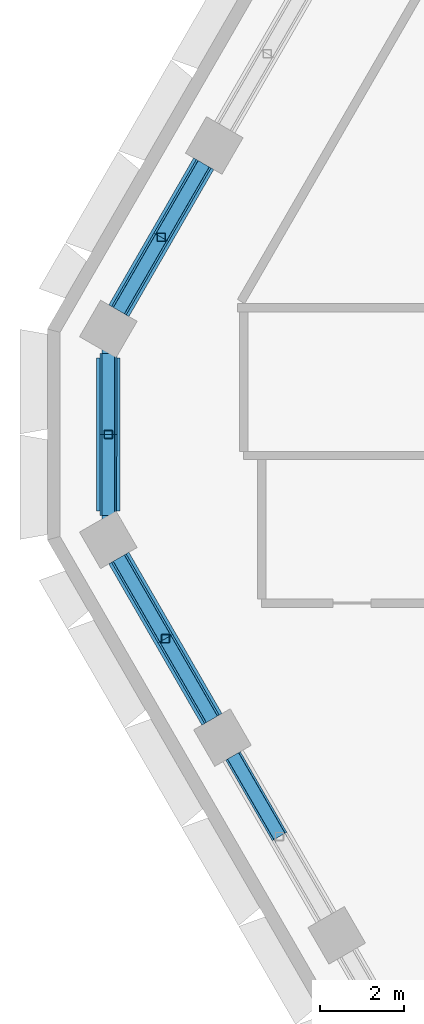
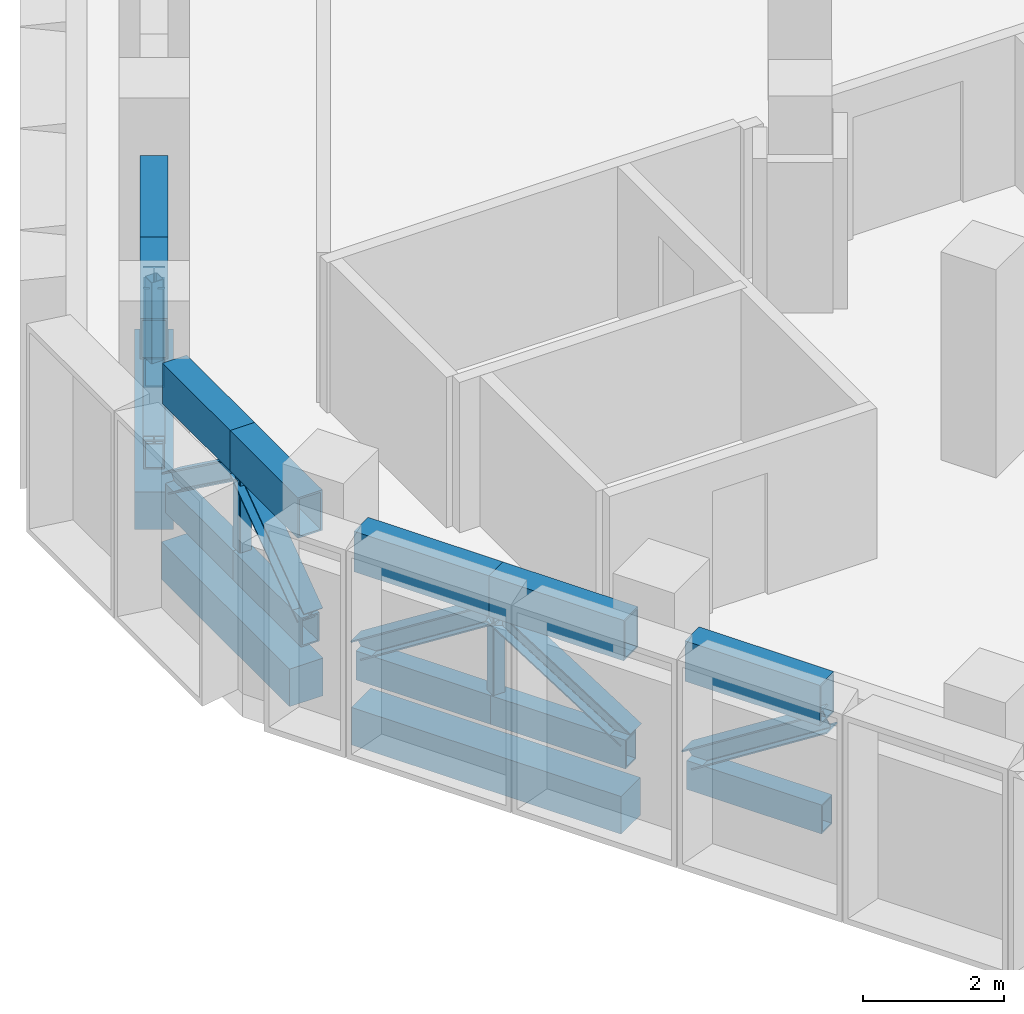
# One storey, part 4 of 23: 24 members, 3 beams.
"""IFC4 building model written with IfcOpenShell, lengths in metres."""

from ifc_helpers import new_model, si_unit, direction, frame, origin, origin_2d, place, context, subcontext, project, spatial, rectangle, hollow_rectangle, i_section, extrude, material, material_profile, profile_set, type_object, element, save


model = new_model("IFC4")

# Units and contexts
model_context = context("Model", 3, precision=1e-05, world=origin(), true_north=direction((0.0, 1.0)))
body_context = subcontext(model_context, "Body", "Model", "MODEL_VIEW")
ifc_project = project(units=[si_unit("LENGTHUNIT", "METRE"), si_unit("AREAUNIT", "SQUARE_METRE"), si_unit("VOLUMEUNIT", "CUBIC_METRE"), si_unit("PLANEANGLEUNIT", "RADIAN"), si_unit("MASSUNIT", "GRAM", prefix="KILO")], contexts=[model_context])

# Site, building, storey
site_placement = place(None, origin())
site = spatial("IfcSite", under=ifc_project, at=site_placement, CompositionType="ELEMENT")
building_placement = place(site_placement, origin())
building = spatial("IfcBuilding", under=site, at=building_placement, Name="Beryl Residences", CompositionType="ELEMENT")
storey_placement = place(building_placement, frame((0.0, 0.0, 108.0)))
storey = spatial("IfcBuildingStorey", under=building, at=storey_placement, Name="L33", CompositionType="ELEMENT", Elevation=108.0)

# Members
ifc_material_1 = material(Name="Steel S355", Category="steel")
ifc_material_profile_1 = material_profile(ifc_material_1, hollow_rectangle(XDim=0.300048828125, YDim=0.5, WallThickness=0.02490234375, at=origin_2d()))
ifc_profile_set_1 = profile_set([ifc_material_profile_1], Name="Steel S355")
member_type_1 = type_object("IfcMemberType", Name="BB2 belt truss bottom chord WB 500x300x25", PredefinedType="CHORD", material=ifc_profile_set_1)
member_1_placement = place(storey_placement, frame((-25.451904296875, 5.4169921875, 0.25), z_axis=(-0.500146161777, -0.865941000796, 0.0), x_axis=(0.865941000796, -0.500146161777, 0.0)))
element("IfcMember", 1, at=member_1_placement, inside=storey, type_object=member_type_1, Name="Outrigger truss BB2-NW-4a L33", PredefinedType="CHORD", context=body_context, shape_type="SweptSolid", body=[
    extrude(hollow_rectangle(XDim=0.300048828125, YDim=0.5, WallThickness=0.02490234375, at=origin_2d()), origin(), (0.0, 0.0, 1.0), 2.01171875),
])
member_2_placement = place(storey_placement, frame((-26.4580078125, 3.675048828125, 0.25), z_axis=(-0.499690923653, -0.866203775574, 0.0), x_axis=(0.866203775574, -0.499690923653, 0.0)))
element("IfcMember", 2, at=member_2_placement, inside=storey, type_object=member_type_1, Name="Outrigger truss BB2-NW-4b L33", PredefinedType="CHORD", context=body_context, shape_type="SweptSolid", body=[
    extrude(hollow_rectangle(XDim=0.300048828125, YDim=0.5, WallThickness=0.02490234375, at=origin_2d()), origin(), (0.0, 0.0, 1.0), 2.010986328125),
])
member_3_placement = place(storey_placement, frame((-27.712890625, 0.923095703125, 0.25), z_axis=(0.0, -1.0, 0.0), x_axis=(1.0, 0.0, 0.0)))
element("IfcMember", 3, at=member_3_placement, inside=storey, type_object=member_type_1, Name="Outrigger truss BB2-NW-5a L33", PredefinedType="CHORD", context=body_context, shape_type="SweptSolid", body=[
    extrude(hollow_rectangle(XDim=0.300048828125, YDim=0.5, WallThickness=0.02490234375, at=origin_2d()), origin(), (0.0, 0.0, 1.0), 1.923095703125),
])
member_4_placement = place(storey_placement, frame((-27.712890625, -1.0, 0.25), z_axis=(-0.000635081797, -0.999999798336, 0.0), x_axis=(0.999999798336, -0.000635081797, 0.0)))
element("IfcMember", 4, at=member_4_placement, inside=storey, type_object=member_type_1, Name="Outrigger truss BB2-NW-5b L33", PredefinedType="CHORD", context=body_context, shape_type="SweptSolid", body=[
    extrude(hollow_rectangle(XDim=0.300048828125, YDim=0.5, WallThickness=0.02490234375, at=origin_2d()), origin(), (0.0, 0.0, 1.0), 1.922119140625),
])
member_5_placement = place(storey_placement, frame((-27.464111328125, -3.931884765625, 0.25), z_axis=(0.49987569747, -0.86609715799, 0.0), x_axis=(0.86609715799, 0.49987569747, 0.0)))
element("IfcMember", 5, at=member_5_placement, inside=storey, type_object=member_type_1, Name="Outrigger truss BB2-SW-0a L33", PredefinedType="CHORD", context=body_context, shape_type="SweptSolid", body=[
    extrude(hollow_rectangle(XDim=0.300048828125, YDim=0.5, WallThickness=0.02490234375, at=origin_2d()), origin(), (0.0, 0.0, 1.0), 2.20654296875),
])
member_6_placement = place(storey_placement, frame((-26.361083984375, -5.843017578125, 0.25), z_axis=(0.500255480495, -0.865877851798, 0.0), x_axis=(0.865877851798, 0.500255480495, 0.0)))
element("IfcMember", 6, at=member_6_placement, inside=storey, type_object=member_type_1, Name="Outrigger truss BB2-SW-0b L33", PredefinedType="CHORD", context=body_context, shape_type="SweptSolid", body=[
    extrude(hollow_rectangle(XDim=0.300048828125, YDim=0.5, WallThickness=0.02490234375, at=origin_2d()), origin(), (0.0, 0.0, 1.0), 2.206787109375),
])
member_7_placement = place(storey_placement, frame((-24.757080078125, -8.6201171875, 0.25), z_axis=(0.49992360228, -0.866069507536, 0.0), x_axis=(0.866069507536, 0.49992360228, 0.0)))
element("IfcMember", 7, at=member_7_placement, inside=storey, type_object=member_type_1, Name="Outrigger truss BB2-SW-1a L33", PredefinedType="CHORD", context=body_context, shape_type="SweptSolid", body=[
    extrude(hollow_rectangle(XDim=0.300048828125, YDim=0.5, WallThickness=0.02490234375, at=origin_2d()), origin(), (0.0, 0.0, 1.0), 2.206298828125),
])
ifc_material_2 = material(Name="Steel S355", Category="steel")
ifc_material_profile_2 = material_profile(ifc_material_2, i_section(OverallWidth=0.30908203125, OverallDepth=0.320068359375, WebThickness=0.013916015625, FlangeThickness=0.021728515625, FilletRadius=0.0166015625, at=origin_2d()))
ifc_profile_set_2 = profile_set([ifc_material_profile_2], Name="Steel S355")
member_type_2 = type_object("IfcMemberType", Name="BD2 belt truss diagonal 310UC137", PredefinedType="BRACE", material=ifc_profile_set_2)
member_8_placement = place(storey_placement, frame((-25.451904296875, 5.4169921875, 0.5), z_axis=(-0.41052328909, -0.710770120761, 0.571206148906), x_axis=(0.865941000796, -0.500146161777, 0.0)))
element("IfcMember", 8, at=member_8_placement, inside=storey, type_object=member_type_2, Name="Outrigger truss BD2-NW-4a L33", PredefinedType="BRACE", context=body_context, shape_type="SweptSolid", body=[
    extrude(i_section(OverallWidth=0.30908203125, OverallDepth=0.320068359375, WebThickness=0.013916015625, FlangeThickness=0.021728515625, FilletRadius=0.0166015625, at=origin_2d()), origin(), (0.0, 0.0, 1.0), 2.45068359375),
])
member_9_placement = place(storey_placement, frame((-27.462890625, 1.93310546875, 0.5), z_axis=(0.410109017379, 0.710915412779, 0.571322911966), x_axis=(-0.866203775574, 0.499690923653, 0.0)))
element("IfcMember", 9, at=member_9_placement, inside=storey, type_object=member_type_2, Name="Outrigger truss BD2-NW-4b L33", PredefinedType="BRACE", context=body_context, shape_type="SweptSolid", body=[
    extrude(i_section(OverallWidth=0.30908203125, OverallDepth=0.320068359375, WebThickness=0.013916015625, FlangeThickness=0.021728515625, FilletRadius=0.0166015625, at=origin_2d()), origin(), (0.0, 0.0, 1.0), 2.4501953125),
])
member_10_placement = place(storey_placement, frame((-27.712890625, 0.923095703125, 0.5), z_axis=(0.0, -0.808478579945, 0.588525603326), x_axis=(1.0, 0.0, 0.0)))
element("IfcMember", 10, at=member_10_placement, inside=storey, type_object=member_type_2, Name="Outrigger truss BD2-NW-5a L33", PredefinedType="BRACE", context=body_context, shape_type="SweptSolid", body=[
    extrude(i_section(OverallWidth=0.30908203125, OverallDepth=0.320068359375, WebThickness=0.013916015625, FlangeThickness=0.021728515625, FilletRadius=0.0166015625, at=origin_2d()), origin(), (0.0, 0.0, 1.0), 2.378662109375),
])
member_11_placement = place(storey_placement, frame((-27.714111328125, -2.922119140625, 0.5), z_axis=(0.000513359712, 0.808336203001, 0.588720918075), x_axis=(-0.999999798336, 0.000635081797, 0.0)))
element("IfcMember", 11, at=member_11_placement, inside=storey, type_object=member_type_2, Name="Outrigger truss BD2-NW-5b L33", PredefinedType="BRACE", context=body_context, shape_type="SweptSolid", body=[
    extrude(i_section(OverallWidth=0.30908203125, OverallDepth=0.320068359375, WebThickness=0.013916015625, FlangeThickness=0.021728515625, FilletRadius=0.0166015625, at=origin_2d()), origin(), (0.0, 0.0, 1.0), 2.3779296875),
])
member_12_placement = place(storey_placement, frame((-27.464111328125, -3.931884765625, 0.5), z_axis=(0.422098007616, -0.731337583801, 0.535703845876), x_axis=(0.86609715799, 0.49987569747, 0.0)))
element("IfcMember", 12, at=member_12_placement, inside=storey, type_object=member_type_2, Name="Outrigger truss BD2-SW-0a L33", PredefinedType="BRACE", context=body_context, shape_type="SweptSolid", body=[
    extrude(i_section(OverallWidth=0.30908203125, OverallDepth=0.320068359375, WebThickness=0.013916015625, FlangeThickness=0.021728515625, FilletRadius=0.0166015625, at=origin_2d()), origin(), (0.0, 0.0, 1.0), 2.61328125),
])
member_13_placement = place(storey_placement, frame((-25.257080078125, -7.75390625, 0.5), z_axis=(-0.422433910032, 0.731178729284, 0.535655913341), x_axis=(-0.865877851798, -0.500255480495, 0.0)))
element("IfcMember", 13, at=member_13_placement, inside=storey, type_object=member_type_2, Name="Outrigger truss BD2-SW-0b L33", PredefinedType="BRACE", context=body_context, shape_type="SweptSolid", body=[
    extrude(i_section(OverallWidth=0.30908203125, OverallDepth=0.320068359375, WebThickness=0.013916015625, FlangeThickness=0.021728515625, FilletRadius=0.0166015625, at=origin_2d()), origin(), (0.0, 0.0, 1.0), 2.613525390625),
])
member_14_placement = place(storey_placement, frame((-24.757080078125, -8.6201171875, 0.5), z_axis=(0.422126848929, -0.731294122747, 0.535740449704), x_axis=(0.866069507536, 0.49992360228, 0.0)))
element("IfcMember", 14, at=member_14_placement, inside=storey, type_object=member_type_2, Name="Outrigger truss BD2-SW-1a L33", PredefinedType="BRACE", context=body_context, shape_type="SweptSolid", body=[
    extrude(i_section(OverallWidth=0.30908203125, OverallDepth=0.320068359375, WebThickness=0.013916015625, FlangeThickness=0.021728515625, FilletRadius=0.0166015625, at=origin_2d()), origin(), (0.0, 0.0, 1.0), 2.613037109375),
])
ifc_material_3 = material(Name="Steel S355", Category="steel")
ifc_material_profile_3 = material_profile(ifc_material_3, hollow_rectangle(XDim=0.199951171875, YDim=0.199951171875, WallThickness=0.009033203125, InnerFilletRadius=0.009033203125, OuterFilletRadius=0.01806640625, at=origin_2d()))
ifc_profile_set_3 = profile_set([ifc_material_profile_3], Name="Steel S355")
member_type_3 = type_object("IfcMemberType", Name="BQ2 belt truss post SHS 200x200x9", PredefinedType="POST", material=ifc_profile_set_3)
for number, where, z_axis, x_axis, name in (
    (15, (-26.4580078125, 3.675048828125, 0.5), (0.0, 0.0, 1.0), (1.0, 0.0, 0.0), "Outrigger truss BQ2-NW-4 L33"),
    (16, (-27.712890625, -1.0, 0.5), (0.0, 0.0, 1.0), (1.0, 0.0, 0.0), "Outrigger truss BQ2-NW-5 L33"),
    (17, (-26.361083984375, -5.843017578125, 0.5), (0.0, 0.0, 1.0), (1.0, 0.0, 0.0), "Outrigger truss BQ2-SW-0 L33"),
):
    element("IfcMember", number, at=place(storey_placement, frame(where, z_axis=z_axis, x_axis=x_axis)), inside=storey, type_object=member_type_3, Name=name, PredefinedType="POST", context=body_context, shape_type="SweptSolid", body=[
        extrude(hollow_rectangle(XDim=0.199951171875, YDim=0.199951171875, WallThickness=0.009033203125, InnerFilletRadius=0.009033203125, OuterFilletRadius=0.01806640625, at=origin_2d()), origin(), (0.0, 0.0, 1.0), 1.39990234375),
    ])
ifc_material_4 = material(Name="Steel S355", Category="steel")
ifc_material_profile_4 = material_profile(ifc_material_4, hollow_rectangle(XDim=0.39990234375, YDim=0.699951171875, WallThickness=0.030029296875, at=origin_2d()))
ifc_profile_set_4 = profile_set([ifc_material_profile_4], Name="Steel S355")
member_type_4 = type_object("IfcMemberType", Name="BT2 belt truss top chord WB 700x400x30", PredefinedType="CHORD", material=ifc_profile_set_4)
member_15_placement = place(storey_placement, frame((-25.451904296875, 5.4169921875, 2.25), z_axis=(-0.500146161777, -0.865941000796, 0.0), x_axis=(0.865941000796, -0.500146161777, 0.0)))
element("IfcMember", 18, at=member_15_placement, inside=storey, type_object=member_type_4, Name="Outrigger truss BT2-NW-4a L33", PredefinedType="CHORD", context=body_context, shape_type="SweptSolid", body=[
    extrude(hollow_rectangle(XDim=0.39990234375, YDim=0.699951171875, WallThickness=0.030029296875, at=origin_2d()), origin(), (0.0, 0.0, 1.0), 2.01171875),
])
member_16_placement = place(storey_placement, frame((-26.4580078125, 3.675048828125, 2.25), z_axis=(-0.499690923653, -0.866203775574, 0.0), x_axis=(0.866203775574, -0.499690923653, 0.0)))
element("IfcMember", 19, at=member_16_placement, inside=storey, type_object=member_type_4, Name="Outrigger truss BT2-NW-4b L33", PredefinedType="CHORD", context=body_context, shape_type="SweptSolid", body=[
    extrude(hollow_rectangle(XDim=0.39990234375, YDim=0.699951171875, WallThickness=0.030029296875, at=origin_2d()), origin(), (0.0, 0.0, 1.0), 2.010986328125),
])
member_17_placement = place(storey_placement, frame((-27.712890625, 0.923095703125, 2.25), z_axis=(0.0, -1.0, 0.0), x_axis=(1.0, 0.0, 0.0)))
element("IfcMember", 20, at=member_17_placement, inside=storey, type_object=member_type_4, Name="Outrigger truss BT2-NW-5a L33", PredefinedType="CHORD", context=body_context, shape_type="SweptSolid", body=[
    extrude(hollow_rectangle(XDim=0.39990234375, YDim=0.699951171875, WallThickness=0.030029296875, at=origin_2d()), origin(), (0.0, 0.0, 1.0), 1.923095703125),
])
member_18_placement = place(storey_placement, frame((-27.712890625, -1.0, 2.25), z_axis=(-0.000635081797, -0.999999798336, 0.0), x_axis=(0.999999798336, -0.000635081797, 0.0)))
element("IfcMember", 21, at=member_18_placement, inside=storey, type_object=member_type_4, Name="Outrigger truss BT2-NW-5b L33", PredefinedType="CHORD", context=body_context, shape_type="SweptSolid", body=[
    extrude(hollow_rectangle(XDim=0.39990234375, YDim=0.699951171875, WallThickness=0.030029296875, at=origin_2d()), origin(), (0.0, 0.0, 1.0), 1.922119140625),
])
member_19_placement = place(storey_placement, frame((-27.464111328125, -3.931884765625, 2.25), z_axis=(0.49987569747, -0.86609715799, 0.0), x_axis=(0.86609715799, 0.49987569747, 0.0)))
element("IfcMember", 22, at=member_19_placement, inside=storey, type_object=member_type_4, Name="Outrigger truss BT2-SW-0a L33", PredefinedType="CHORD", context=body_context, shape_type="SweptSolid", body=[
    extrude(hollow_rectangle(XDim=0.39990234375, YDim=0.699951171875, WallThickness=0.030029296875, at=origin_2d()), origin(), (0.0, 0.0, 1.0), 2.20654296875),
])
member_20_placement = place(storey_placement, frame((-26.361083984375, -5.843017578125, 2.25), z_axis=(0.500255480495, -0.865877851798, 0.0), x_axis=(0.865877851798, 0.500255480495, 0.0)))
element("IfcMember", 23, at=member_20_placement, inside=storey, type_object=member_type_4, Name="Outrigger truss BT2-SW-0b L33", PredefinedType="CHORD", context=body_context, shape_type="SweptSolid", body=[
    extrude(hollow_rectangle(XDim=0.39990234375, YDim=0.699951171875, WallThickness=0.030029296875, at=origin_2d()), origin(), (0.0, 0.0, 1.0), 2.206787109375),
])
member_21_placement = place(storey_placement, frame((-24.757080078125, -8.6201171875, 2.25), z_axis=(0.49992360228, -0.866069507536, 0.0), x_axis=(0.866069507536, 0.49992360228, 0.0)))
element("IfcMember", 24, at=member_21_placement, inside=storey, type_object=member_type_4, Name="Outrigger truss BT2-SW-1a L33", PredefinedType="CHORD", context=body_context, shape_type="SweptSolid", body=[
    extrude(hollow_rectangle(XDim=0.39990234375, YDim=0.699951171875, WallThickness=0.030029296875, at=origin_2d()), origin(), (0.0, 0.0, 1.0), 2.206298828125),
])

# Beams
ifc_material_5 = material(Name="Concrete C70/85", Category="concrete")
ifc_material_profile_5 = material_profile(ifc_material_5, rectangle(XDim=0.550048828125, YDim=0.64990234375, at=origin_2d()))
ifc_profile_set_5 = profile_set([ifc_material_profile_5], Name="Concrete C70/85")
beam_type = type_object("IfcBeamType", Name="SB2 spandrel beam 550 x 650 C70/85", PredefinedType="SPANDREL", material=ifc_profile_set_5)
beam_1_placement = place(storey_placement, frame((-25.451904296875, 5.4169921875, -0.72509765625), z_axis=(-0.499918594511, -0.866072398164, 0.0), x_axis=(0.866072398164, -0.499918594511, 0.0)))
element("IfcBeam", 25, at=beam_1_placement, inside=storey, type_object=beam_type, Name="SB2 L33 NW-4", PredefinedType="SPANDREL", context=body_context, shape_type="SweptSolid", body=[
    extrude(rectangle(XDim=0.550048828125, YDim=0.64990234375, at=origin_2d()), origin(), (0.0, 0.0, 1.0), 4.022705078125),
])
beam_2_placement = place(storey_placement, frame((-27.712890625, 0.81689453125, -0.72509765625), z_axis=(-0.000336021486, -0.999999943545, 0.0), x_axis=(0.999999943545, -0.000336021486, 0.0)))
element("IfcBeam", 26, at=beam_2_placement, inside=storey, type_object=beam_type, Name="SB2 L33 NW-5", PredefinedType="SPANDREL", context=body_context, shape_type="SweptSolid", body=[
    extrude(rectangle(XDim=0.550048828125, YDim=0.64990234375, at=origin_2d()), origin(), (0.0, 0.0, 1.0), 3.6328125),
])
beam_3_placement = place(storey_placement, frame((-27.464111328125, -3.931884765625, -0.72509765625), z_axis=(0.50006561292, -0.865987518834, 0.0), x_axis=(0.865987518834, 0.50006561292, 0.0)))
element("IfcBeam", 27, at=beam_3_placement, inside=storey, type_object=beam_type, Name="SB2 L33 SW-0", PredefinedType="SPANDREL", context=body_context, shape_type="SweptSolid", body=[
    extrude(rectangle(XDim=0.550048828125, YDim=0.64990234375, at=origin_2d()), origin(), (0.0, 0.0, 1.0), 4.41357421875),
])

save(model, "model.ifc")
